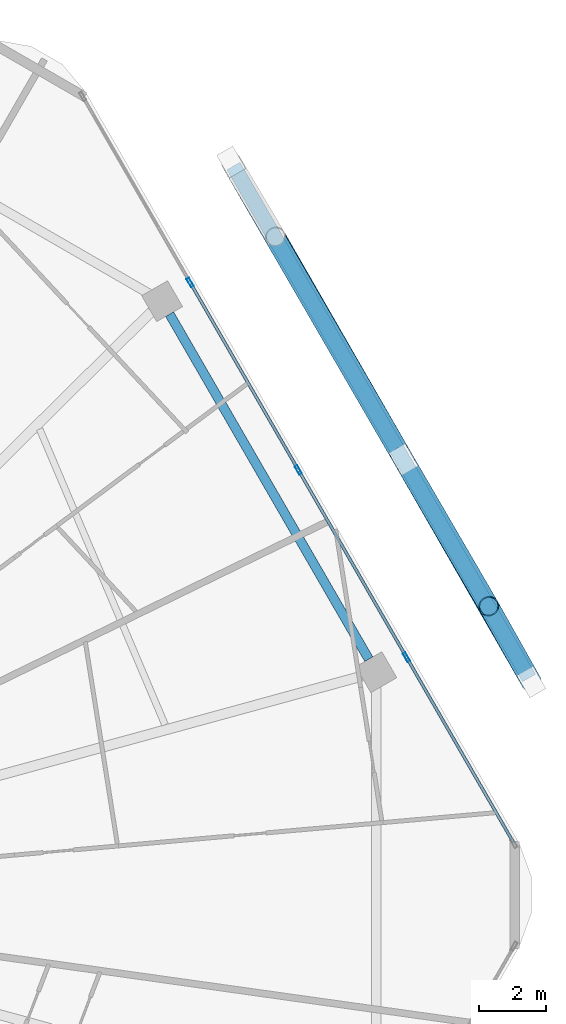
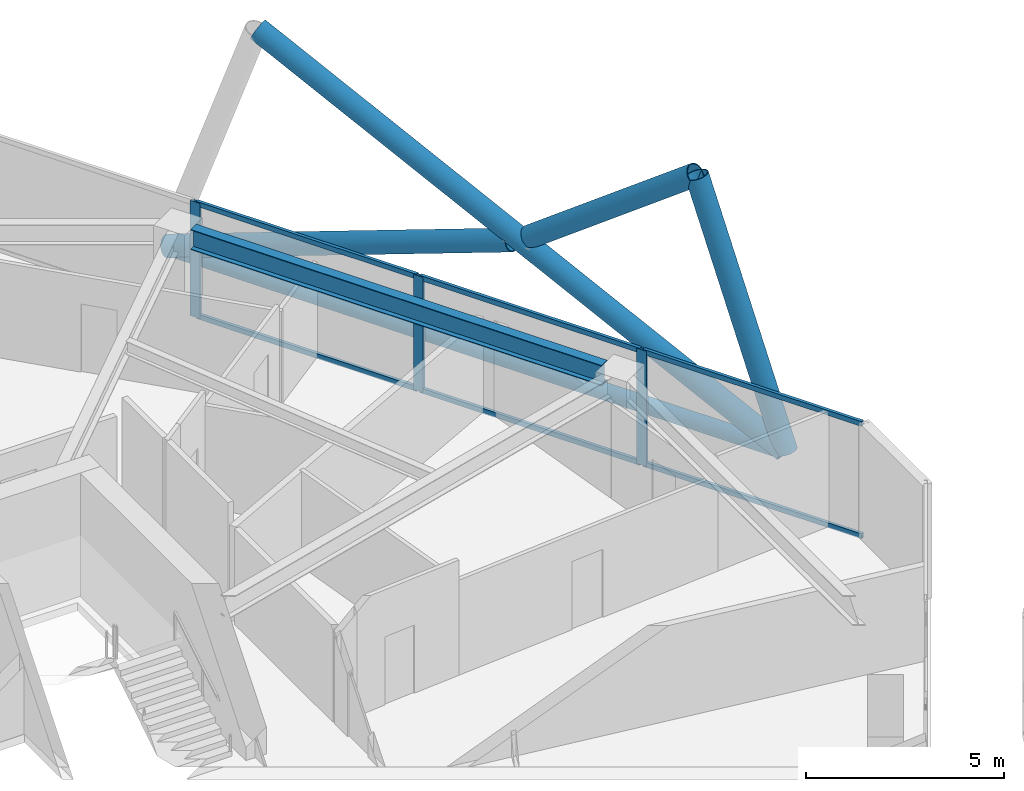
# One storey, part 17 of 26: 14 members, 1 beam, 1 element without a shape of its own.
"""IFC4 building model written with IfcOpenShell, lengths in metres."""

from ifc_helpers import new_model, si_unit, direction, frame, origin, origin_2d, place, context, subcontext, project, spatial, hollow_rectangle, hollow_circle, i_section, extrude, material, material_profile, profile_set, type_object, element, aggregate, save


model = new_model("IFC4")

# Units and contexts
model_context = context("Model", 3, precision=1e-05, world=origin(), true_north=direction((0.0, 1.0)))
body_context = subcontext(model_context, "Body", "Model", "MODEL_VIEW")
ifc_project = project(units=[si_unit("LENGTHUNIT", "METRE"), si_unit("AREAUNIT", "SQUARE_METRE"), si_unit("VOLUMEUNIT", "CUBIC_METRE"), si_unit("PLANEANGLEUNIT", "RADIAN"), si_unit("MASSUNIT", "GRAM", prefix="KILO")], contexts=[model_context])

# Site, building, storey
site_placement = place(None, origin())
site = spatial("IfcSite", under=ifc_project, at=site_placement, CompositionType="ELEMENT")
building_placement = place(site_placement, origin())
building = spatial("IfcBuilding", under=site, at=building_placement, Name="Zuhravey Tower", CompositionType="ELEMENT")
storey_placement = place(building_placement, frame((0.0, 0.0, 231.199951171875)))
storey = spatial("IfcBuildingStorey", under=building, at=storey_placement, Name="L58", CompositionType="ELEMENT", Elevation=231.199951171875)

# Curtain wall, members
ifc_material_1 = material(Name="Thermally broken anodised aluminium", Category="aluminium")
curtain_wall_type = type_object("IfcCurtainWallType", Name="Zone 3-4 High-Rise Curtain Wall CW4", PredefinedType="NOTDEFINED", material=ifc_material_1)
curtain_wall_placement = place(storey_placement, origin())
curtain_wall = element("IfcCurtainWall", 1, at=curtain_wall_placement, inside=storey, type_object=curtain_wall_type, Name="L58 CW4 CW-L58-F1-1", PredefinedType="NOTDEFINED")
ifc_material_2 = material(Name="Anodised aluminium", Category="aluminium")
ifc_material_profile_1 = material_profile(ifc_material_2, hollow_rectangle(XDim=0.090087890625, YDim=0.284912109375, WallThickness=0.0048828125, at=origin_2d()), Name="ALU-RHS-90x285x5")
ifc_profile_set_1 = profile_set([ifc_material_profile_1], Name="Anodised aluminium")
member_type_1 = type_object("IfcMemberType", Name="Curtain-Wall Mullion 90x180", PredefinedType="MULLION", material=ifc_profile_set_1)
member_1_placement = place(storey_placement, frame((54.885498046875, 50.41650390625, 0.0), z_axis=(0.0, 0.0, 1.0), x_axis=(0.866024851021, 0.500000957414, 0.0)))
member_1 = element("IfcMember", 2, at=member_1_placement, type_object=member_type_1, Name="CW4 mullion 2", PredefinedType="MULLION", context=body_context, shape_type="SweptSolid", body=[
    extrude(hollow_rectangle(XDim=0.090087890625, YDim=0.284912109375, WallThickness=0.0048828125, at=origin_2d()), origin(), (0.0, 0.0, 1.0), 3.550048828125),
])
member_2_placement = place(storey_placement, frame((58.138671875, 44.78173828125, 0.0), z_axis=(0.0, 0.0, 1.0), x_axis=(0.866024851021, 0.500000957414, 0.0)))
member_2 = element("IfcMember", 3, at=member_2_placement, type_object=member_type_1, Name="CW4 mullion 3", PredefinedType="MULLION", context=body_context, shape_type="SweptSolid", body=[
    extrude(hollow_rectangle(XDim=0.090087890625, YDim=0.284912109375, WallThickness=0.0048828125, at=origin_2d()), origin(), (0.0, 0.0, 1.0), 3.550048828125),
])
member_3_placement = place(storey_placement, frame((61.391845703125, 39.147216796875, 0.0), z_axis=(0.0, 0.0, 1.0), x_axis=(0.866024851021, 0.500000957414, 0.0)))
member_3 = element("IfcMember", 4, at=member_3_placement, type_object=member_type_1, Name="CW4 mullion 4", PredefinedType="MULLION", context=body_context, shape_type="SweptSolid", body=[
    extrude(hollow_rectangle(XDim=0.090087890625, YDim=0.284912109375, WallThickness=0.0048828125, at=origin_2d()), origin(), (0.0, 0.0, 1.0), 3.550048828125),
])
ifc_material_profile_2 = material_profile(ifc_material_2, hollow_rectangle(XDim=0.090087890625, YDim=0.14990234375, WallThickness=0.0048828125, at=origin_2d()), Name="ALU-RHS-90x150x5")
ifc_profile_set_2 = profile_set([ifc_material_profile_2], Name="Anodised aluminium")
member_type_2 = type_object("IfcMemberType", Name="Curtain-Wall Transom 90x150", PredefinedType="USERDEFINED", material=ifc_profile_set_2)
member_4_placement = place(storey_placement, frame((54.907958984375, 50.37744140625, 0.045166015625), z_axis=(0.500014493347, -0.866017035885, 0.0), x_axis=(0.866017035885, 0.500014493347, 0.0)))
member_4 = element("IfcMember", 5, at=member_4_placement, type_object=member_type_2, Name="CW4 transom 2.1", ObjectType="TRANSOM", PredefinedType="USERDEFINED", context=body_context, shape_type="SweptSolid", body=[
    extrude(hollow_rectangle(XDim=0.090087890625, YDim=0.14990234375, WallThickness=0.0048828125, at=origin_2d()), origin(), (0.0, 0.0, 1.0), 6.416259765625),
])
member_5_placement = place(storey_placement, frame((54.907958984375, 50.37744140625, 3.505126953125), z_axis=(0.500014493347, -0.866017035885, 0.0), x_axis=(0.866017035885, 0.500014493347, 0.0)))
member_5 = element("IfcMember", 6, at=member_5_placement, type_object=member_type_2, Name="CW4 transom 2.2", ObjectType="TRANSOM", PredefinedType="USERDEFINED", context=body_context, shape_type="SweptSolid", body=[
    extrude(hollow_rectangle(XDim=0.090087890625, YDim=0.14990234375, WallThickness=0.0048828125, at=origin_2d()), origin(), (0.0, 0.0, 1.0), 6.416259765625),
])
member_6_placement = place(storey_placement, frame((58.1611328125, 44.742919921875, 0.045166015625), z_axis=(0.499998017366, -0.866026548456, 0.0), x_axis=(0.866026548456, 0.499998017366, 0.0)))
member_6 = element("IfcMember", 7, at=member_6_placement, type_object=member_type_2, Name="CW4 transom 3.1", ObjectType="TRANSOM", PredefinedType="USERDEFINED", context=body_context, shape_type="SweptSolid", body=[
    extrude(hollow_rectangle(XDim=0.090087890625, YDim=0.14990234375, WallThickness=0.0048828125, at=origin_2d()), origin(), (0.0, 0.0, 1.0), 6.41650390625),
])
member_7_placement = place(storey_placement, frame((58.1611328125, 44.742919921875, 3.505126953125), z_axis=(0.499998017366, -0.866026548456, 0.0), x_axis=(0.866026548456, 0.499998017366, 0.0)))
member_7 = element("IfcMember", 8, at=member_7_placement, type_object=member_type_2, Name="CW4 transom 3.2", ObjectType="TRANSOM", PredefinedType="USERDEFINED", context=body_context, shape_type="SweptSolid", body=[
    extrude(hollow_rectangle(XDim=0.090087890625, YDim=0.14990234375, WallThickness=0.0048828125, at=origin_2d()), origin(), (0.0, 0.0, 1.0), 6.41650390625),
])
member_8_placement = place(storey_placement, frame((61.414306640625, 39.108154296875, 0.045166015625), z_axis=(0.500008810174, -0.866020317169, 0.0), x_axis=(0.866020317169, 0.500008810174, 0.0)))
member_8 = element("IfcMember", 9, at=member_8_placement, type_object=member_type_2, Name="CW4 transom 4.1", ObjectType="TRANSOM", PredefinedType="USERDEFINED", context=body_context, shape_type="SweptSolid", body=[
    extrude(hollow_rectangle(XDim=0.090087890625, YDim=0.14990234375, WallThickness=0.0048828125, at=origin_2d()), origin(), (0.0, 0.0, 1.0), 6.37158203125),
])
member_9_placement = place(storey_placement, frame((61.414306640625, 39.108154296875, 3.505126953125), z_axis=(0.500008810174, -0.866020317169, 0.0), x_axis=(0.866020317169, 0.500008810174, 0.0)))
member_9 = element("IfcMember", 10, at=member_9_placement, type_object=member_type_2, Name="CW4 transom 4.2", ObjectType="TRANSOM", PredefinedType="USERDEFINED", context=body_context, shape_type="SweptSolid", body=[
    extrude(hollow_rectangle(XDim=0.090087890625, YDim=0.14990234375, WallThickness=0.0048828125, at=origin_2d()), origin(), (0.0, 0.0, 1.0), 6.37158203125),
])
aggregate(curtain_wall, [member_1, member_2, member_3, member_4, member_5, member_6, member_7, member_8, member_9])

# Members
ifc_material_3 = material(Name="Steel SM355", Category="steel")
ifc_material_profile_3 = material_profile(ifc_material_3, hollow_circle(Radius=0.228515625, WallThickness=0.02197265625, at=origin_2d()), Name="CHS-457.2x22")
ifc_profile_set_3 = profile_set([ifc_material_profile_3], Name="Steel SM355")
member_type_3 = type_object("IfcMemberType", Name="Exoskeleton Ring Tie CHS457x22", PredefinedType="CHORD", material=ifc_profile_set_3)
member_10_placement = place(storey_placement, frame((65.077392578125, 38.523681640625, -0.4638671875), z_axis=(-0.499995467921, 0.866028020366, 0.0), x_axis=(-0.866028020366, -0.499995467921, 0.0)))
element("IfcMember", 11, at=member_10_placement, inside=storey, type_object=member_type_3, Name="L58 Exoskeleton Face 1 Tie EXR1", PredefinedType="CHORD", context=body_context, shape_type="SweptSolid", body=[
    extrude(hollow_circle(Radius=0.228515625, WallThickness=0.02197265625, at=origin_2d()), origin(), (0.0, 0.0, 1.0), 17.778076171875),
])
ifc_material_profile_4 = material_profile(ifc_material_3, hollow_circle(Radius=0.3046875, WallThickness=0.028076171875, at=origin_2d()), Name="CHS-609.6x28")
ifc_profile_set_4 = profile_set([ifc_material_profile_4], Name="Steel SM355")
member_type_4 = type_object("IfcMemberType", Name="Exoskeleton Zone 3 Diagrid CHS610x28", PredefinedType="BRACE", material=ifc_profile_set_4)
member_11_placement = place(storey_placement, frame((65.144287109375, 38.407958984375, -0.446044921875), z_axis=(-0.159790806545, 0.284218324033, 0.945350116321), x_axis=(-0.871682978645, -0.490070183485, 0.0)))
element("IfcMember", 12, at=member_11_placement, inside=storey, type_object=member_type_4, Name="L58 Face 1 Diagrid Brace 1", PredefinedType="BRACE", context=body_context, shape_type="SweptSolid", body=[
    extrude(hollow_circle(Radius=0.3046875, WallThickness=0.028076171875, at=origin_2d()), origin(), (0.0, 0.0, 1.0), 8.00146484375),
])
member_12_placement = place(storey_placement, frame((65.129150390625, 38.43408203125, -0.446044921875), z_axis=(-0.44706848738, 0.777832732915, 0.441708056523), x_axis=(-0.866995557613, -0.498315866774, 0.0)))
element("IfcMember", 13, at=member_12_placement, inside=storey, type_object=member_type_4, Name="L58 Face 1 Diagrid Brace 2", PredefinedType="BRACE", context=body_context, shape_type="SweptSolid", body=[
    extrude(hollow_circle(Radius=0.3046875, WallThickness=0.028076171875, at=origin_2d()), origin(), (0.0, 0.0, 1.0), 17.125),
])
member_13_placement = place(storey_placement, frame((56.137451171875, 54.008056640625, -0.449951171875), z_axis=(0.470494344513, -0.812175374901, 0.344972799196), x_axis=(0.865293416564, 0.501265701251, 0.0)))
element("IfcMember", 14, at=member_13_placement, inside=storey, type_object=member_type_4, Name="L58 Face 1 Split Diagrid Brace 3A", PredefinedType="BRACE", context=body_context, shape_type="SweptSolid", body=[
    extrude(hollow_circle(Radius=0.3046875, WallThickness=0.028076171875, at=origin_2d()), origin(), (0.0, 0.0, 1.0), 10.679931640625),
])
member_14_placement = place(storey_placement, frame((61.420166015625, 44.889892578125, 3.512451171875), z_axis=(0.402873368806, -0.69315950352, 0.597681312563), x_axis=(0.864575653056, 0.502502676751, 0.0)))
element("IfcMember", 15, at=member_14_placement, inside=storey, type_object=member_type_4, Name="L58 Face 1 Split Diagrid Brace 3B", PredefinedType="BRACE", context=body_context, shape_type="SweptSolid", body=[
    extrude(hollow_circle(Radius=0.3046875, WallThickness=0.028076171875, at=origin_2d()), origin(), (0.0, 0.0, 1.0), 6.021728515625),
])

# Beam
ifc_material_profile_5 = material_profile(ifc_material_3, i_section(OverallWidth=0.280029296875, OverallDepth=0.6201171875, WebThickness=0.011962890625, FlangeThickness=0.02001953125, at=origin_2d()), Name="H-620x280x12x20")
ifc_profile_set_5 = profile_set([ifc_material_profile_5], Name="Steel SM355")
beam_type = type_object("IfcBeamType", Name="Perimeter Ring Beam H620x280", PredefinedType="BEAM", material=ifc_profile_set_5)
beam_placement = place(storey_placement, frame((60.258056640625, 39.09130859375, 3.239990234375), z_axis=(-0.500017744717, 0.866015158625, 0.0), x_axis=(-0.866015158625, -0.500017744717, 0.0)))
element("IfcBeam", 16, at=beam_placement, inside=storey, type_object=beam_type, Name="L58 PB3 BM-L58-PB-01", PredefinedType="BEAM", context=body_context, shape_type="SweptSolid", body=[
    extrude(i_section(OverallWidth=0.280029296875, OverallDepth=0.6201171875, WebThickness=0.011962890625, FlangeThickness=0.02001953125, at=origin_2d()), origin(), (0.0, 0.0, 1.0), 11.9755859375),
])

save(model, "model.ifc")
